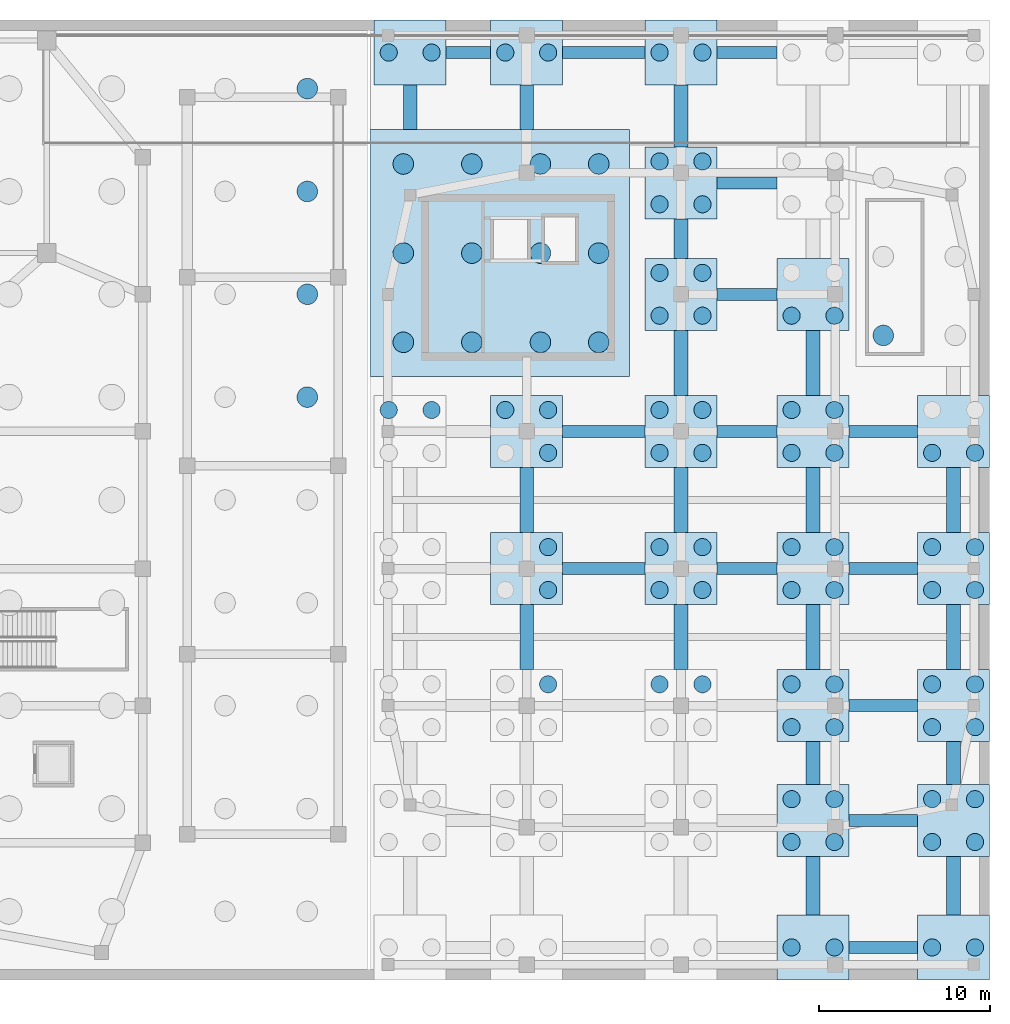
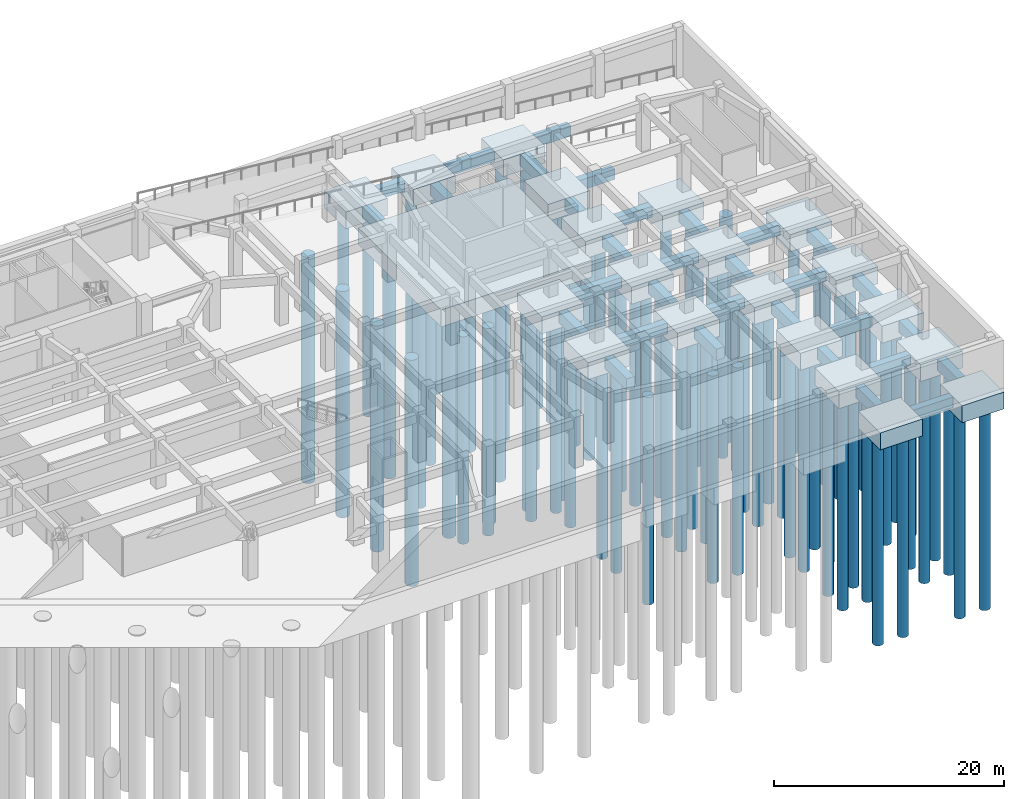
# One storey, part 2 of 18: 85 piles, 53 footings.
"""IFC4 building model written with IfcOpenShell, lengths in metres."""

from ifc_helpers import new_model, si_unit, direction, frame, origin, origin_2d, place, context, subcontext, project, spatial, polyline, rectangle, circle, outline, extrude, material, layer, layer_set, material_profile, profile_set, type_object, element, save


model = new_model("IFC4")

# Units and contexts
model_context = context("Model", 3, precision=1e-05, world=origin(), true_north=direction((0.0, 1.0)))
body_context = subcontext(model_context, "Body", "Model", "MODEL_VIEW")
ifc_project = project(units=[si_unit("LENGTHUNIT", "METRE"), si_unit("AREAUNIT", "SQUARE_METRE"), si_unit("VOLUMEUNIT", "CUBIC_METRE"), si_unit("PLANEANGLEUNIT", "RADIAN"), si_unit("MASSUNIT", "GRAM", prefix="KILO")], contexts=[model_context])

# Site, building, storey
site_placement = place(None, origin())
site = spatial("IfcSite", under=ifc_project, at=site_placement, CompositionType="ELEMENT")
building_placement = place(site_placement, origin())
building = spatial("IfcBuilding", under=site, at=building_placement, Name="Saevonmaru Cultural Tower", CompositionType="ELEMENT")
storey_placement = place(building_placement, frame((0.0, 0.0, -10.800048828125)))
storey = spatial("IfcBuildingStorey", under=building, at=storey_placement, Name="B2", CompositionType="ELEMENT", Elevation=-10.800048828125)

# Footings
ifc_material_1 = material(Name="Concrete C50/60", Category="concrete")
footing_type_1 = type_object("IfcFootingType", Name="FT-GB-800x1200", PredefinedType="STRIP_FOOTING", material=ifc_material_1)
footing_1_placement = place(storey_placement, frame((0.0, 0.0, -1.64990234375)))
element("IfcFooting", 1, at=footing_1_placement, inside=storey, type_object=footing_type_1, Name="Ground beam GB-05 Grid 9/G-H", PredefinedType="STRIP_FOOTING", context=body_context, shape_type="SweptSolid", body=[
    extrude(outline(polyline([(74.0, 49.60009765625), (74.800048828125, 49.60009765625), (74.800048828125, 52.199951171875), (74.0, 52.199951171875), (74.0, 49.60009765625)])), origin(), (0.0, 0.0, 1.0), 1.199951171875),
])
footing_2_placement = place(storey_placement, frame((0.0, 0.0, -1.64990234375)))
element("IfcFooting", 2, at=footing_2_placement, inside=storey, type_object=footing_type_1, Name="Ground beam GB-08 Grid 10/C-D", PredefinedType="STRIP_FOOTING", context=body_context, shape_type="SweptSolid", body=[
    extrude(outline(polyline([(80.800048828125, 18.10009765625), (81.60009765625, 18.10009765625), (81.60009765625, 21.89990234375), (80.800048828125, 21.89990234375), (80.800048828125, 18.10009765625)])), origin(), (0.0, 0.0, 1.0), 1.199951171875),
])
footing_3_placement = place(storey_placement, frame((0.0, 0.0, -1.64990234375)))
element("IfcFooting", 3, at=footing_3_placement, inside=storey, type_object=footing_type_1, Name="Ground beam GB-09 Grid 10/D-E", PredefinedType="STRIP_FOOTING", context=body_context, shape_type="SweptSolid", body=[
    extrude(outline(polyline([(80.800048828125, 26.10009765625), (81.60009765625, 26.10009765625), (81.60009765625, 29.89990234375), (80.800048828125, 29.89990234375), (80.800048828125, 26.10009765625)])), origin(), (0.0, 0.0, 1.0), 1.199951171875),
])
footing_4_placement = place(storey_placement, frame((0.0, 0.0, -1.64990234375)))
element("IfcFooting", 4, at=footing_4_placement, inside=storey, type_object=footing_type_1, Name="Ground beam GB-10 Grid 10/G-H", PredefinedType="STRIP_FOOTING", context=body_context, shape_type="SweptSolid", body=[
    extrude(outline(polyline([(80.800048828125, 49.60009765625), (81.60009765625, 49.60009765625), (81.60009765625, 52.199951171875), (80.800048828125, 52.199951171875), (80.800048828125, 49.60009765625)])), origin(), (0.0, 0.0, 1.0), 1.199951171875),
])
footing_5_placement = place(storey_placement, frame((0.0, 0.0, -1.64990234375)))
element("IfcFooting", 5, at=footing_5_placement, inside=storey, type_object=footing_type_1, Name="Ground beam GB-13 Grid 11/C-D", PredefinedType="STRIP_FOOTING", context=body_context, shape_type="SweptSolid", body=[
    extrude(outline(polyline([(89.800048828125, 18.10009765625), (90.60009765625, 18.10009765625), (90.60009765625, 21.89990234375), (89.800048828125, 21.89990234375), (89.800048828125, 18.10009765625)])), origin(), (0.0, 0.0, 1.0), 1.199951171875),
])
footing_6_placement = place(storey_placement, frame((0.0, 0.0, -1.64990234375)))
element("IfcFooting", 6, at=footing_6_placement, inside=storey, type_object=footing_type_1, Name="Ground beam GB-14 Grid 11/D-E", PredefinedType="STRIP_FOOTING", context=body_context, shape_type="SweptSolid", body=[
    extrude(outline(polyline([(89.800048828125, 26.10009765625), (90.60009765625, 26.10009765625), (90.60009765625, 29.89990234375), (89.800048828125, 29.89990234375), (89.800048828125, 26.10009765625)])), origin(), (0.0, 0.0, 1.0), 1.199951171875),
])
footing_7_placement = place(storey_placement, frame((0.0, 0.0, -1.64990234375)))
element("IfcFooting", 7, at=footing_7_placement, inside=storey, type_object=footing_type_1, Name="Ground beam GB-15 Grid 11/E-F", PredefinedType="STRIP_FOOTING", context=body_context, shape_type="SweptSolid", body=[
    extrude(outline(polyline([(89.800048828125, 34.10009765625), (90.60009765625, 34.10009765625), (90.60009765625, 37.89990234375), (89.800048828125, 37.89990234375), (89.800048828125, 34.10009765625)])), origin(), (0.0, 0.0, 1.0), 1.199951171875),
])
footing_8_placement = place(storey_placement, frame((0.0, 0.0, -1.64990234375)))
element("IfcFooting", 8, at=footing_8_placement, inside=storey, type_object=footing_type_1, Name="Ground beam GB-16 Grid 11/F-G", PredefinedType="STRIP_FOOTING", context=body_context, shape_type="SweptSolid", body=[
    extrude(outline(polyline([(89.800048828125, 42.10009765625), (90.60009765625, 42.10009765625), (90.60009765625, 44.39990234375), (89.800048828125, 44.39990234375), (89.800048828125, 42.10009765625)])), origin(), (0.0, 0.0, 1.0), 1.199951171875),
])
footing_9_placement = place(storey_placement, frame((0.0, 0.0, -1.64990234375)))
element("IfcFooting", 9, at=footing_9_placement, inside=storey, type_object=footing_type_1, Name="Ground beam GB-17 Grid 11/G-H", PredefinedType="STRIP_FOOTING", context=body_context, shape_type="SweptSolid", body=[
    extrude(outline(polyline([(89.800048828125, 48.60009765625), (90.60009765625, 48.60009765625), (90.60009765625, 52.199951171875), (89.800048828125, 52.199951171875), (89.800048828125, 48.60009765625)])), origin(), (0.0, 0.0, 1.0), 1.199951171875),
])
footing_10_placement = place(storey_placement, frame((0.0, 0.0, -1.64990234375)))
element("IfcFooting", 10, at=footing_10_placement, inside=storey, type_object=footing_type_1, Name="Ground beam GB-18 Grid 12/A-B", PredefinedType="STRIP_FOOTING", context=body_context, shape_type="SweptSolid", body=[
    extrude(outline(polyline([(97.5, 3.800048828125), (98.300048828125, 3.800048828125), (98.300048828125, 7.199951171875), (97.5, 7.199951171875), (97.5, 3.800048828125)])), origin(), (0.0, 0.0, 1.0), 1.199951171875),
])
footing_11_placement = place(storey_placement, frame((0.0, 0.0, -1.64990234375)))
element("IfcFooting", 11, at=footing_11_placement, inside=storey, type_object=footing_type_1, Name="Ground beam GB-19 Grid 12/B-C", PredefinedType="STRIP_FOOTING", context=body_context, shape_type="SweptSolid", body=[
    extrude(outline(polyline([(97.5, 11.39990234375), (98.300048828125, 11.39990234375), (98.300048828125, 13.89990234375), (97.5, 13.89990234375), (97.5, 11.39990234375)])), origin(), (0.0, 0.0, 1.0), 1.199951171875),
])
footing_12_placement = place(storey_placement, frame((0.0, 0.0, -1.64990234375)))
element("IfcFooting", 12, at=footing_12_placement, inside=storey, type_object=footing_type_1, Name="Ground beam GB-20 Grid 12/C-D", PredefinedType="STRIP_FOOTING", context=body_context, shape_type="SweptSolid", body=[
    extrude(outline(polyline([(97.5, 18.10009765625), (98.300048828125, 18.10009765625), (98.300048828125, 21.89990234375), (97.5, 21.89990234375), (97.5, 18.10009765625)])), origin(), (0.0, 0.0, 1.0), 1.199951171875),
])
footing_13_placement = place(storey_placement, frame((0.0, 0.0, -1.64990234375)))
element("IfcFooting", 13, at=footing_13_placement, inside=storey, type_object=footing_type_1, Name="Ground beam GB-21 Grid 12/D-E", PredefinedType="STRIP_FOOTING", context=body_context, shape_type="SweptSolid", body=[
    extrude(outline(polyline([(97.5, 26.10009765625), (98.300048828125, 26.10009765625), (98.300048828125, 29.89990234375), (97.5, 29.89990234375), (97.5, 26.10009765625)])), origin(), (0.0, 0.0, 1.0), 1.199951171875),
])
footing_14_placement = place(storey_placement, frame((0.0, 0.0, -1.64990234375)))
element("IfcFooting", 14, at=footing_14_placement, inside=storey, type_object=footing_type_1, Name="Ground beam GB-22 Grid 12/E-F", PredefinedType="STRIP_FOOTING", context=body_context, shape_type="SweptSolid", body=[
    extrude(outline(polyline([(97.5, 34.10009765625), (98.300048828125, 34.10009765625), (98.300048828125, 37.89990234375), (97.5, 37.89990234375), (97.5, 34.10009765625)])), origin(), (0.0, 0.0, 1.0), 1.199951171875),
])
footing_15_placement = place(storey_placement, frame((0.0, 0.0, -1.64990234375)))
element("IfcFooting", 15, at=footing_15_placement, inside=storey, type_object=footing_type_1, Name="Ground beam GB-25 Grid 13/A-B", PredefinedType="STRIP_FOOTING", context=body_context, shape_type="SweptSolid", body=[
    extrude(outline(polyline([(105.699951171875, 3.800048828125), (106.5, 3.800048828125), (106.5, 7.199951171875), (105.699951171875, 7.199951171875), (105.699951171875, 3.800048828125)])), origin(), (0.0, 0.0, 1.0), 1.199951171875),
])
footing_16_placement = place(storey_placement, frame((0.0, 0.0, -1.64990234375)))
element("IfcFooting", 16, at=footing_16_placement, inside=storey, type_object=footing_type_1, Name="Ground beam GB-26 Grid 13/B-C", PredefinedType="STRIP_FOOTING", context=body_context, shape_type="SweptSolid", body=[
    extrude(outline(polyline([(105.699951171875, 11.39990234375), (106.5, 11.39990234375), (106.5, 13.89990234375), (105.699951171875, 13.89990234375), (105.699951171875, 11.39990234375)])), origin(), (0.0, 0.0, 1.0), 1.199951171875),
])
footing_17_placement = place(storey_placement, frame((0.0, 0.0, -1.64990234375)))
element("IfcFooting", 17, at=footing_17_placement, inside=storey, type_object=footing_type_1, Name="Ground beam GB-27 Grid 13/C-D", PredefinedType="STRIP_FOOTING", context=body_context, shape_type="SweptSolid", body=[
    extrude(outline(polyline([(105.699951171875, 18.10009765625), (106.5, 18.10009765625), (106.5, 21.89990234375), (105.699951171875, 21.89990234375), (105.699951171875, 18.10009765625)])), origin(), (0.0, 0.0, 1.0), 1.199951171875),
])
footing_18_placement = place(storey_placement, frame((0.0, 0.0, -1.64990234375)))
element("IfcFooting", 18, at=footing_18_placement, inside=storey, type_object=footing_type_1, Name="Ground beam GB-28 Grid 13/D-E", PredefinedType="STRIP_FOOTING", context=body_context, shape_type="SweptSolid", body=[
    extrude(outline(polyline([(105.699951171875, 26.10009765625), (106.5, 26.10009765625), (106.5, 29.89990234375), (105.699951171875, 29.89990234375), (105.699951171875, 26.10009765625)])), origin(), (0.0, 0.0, 1.0), 1.199951171875),
])
ifc_layer_1 = layer(ifc_material_1, 1.800048828125, Name="Concrete C50/60")
ifc_layer_set_1 = layer_set([ifc_layer_1], Name="Concrete C50/60")
footing_type_2 = type_object("IfcFootingType", Name="FT-LCAP-4200", PredefinedType="PILE_CAP", material=ifc_layer_set_1)
for number, where, z_axis, x_axis, name in (
    (19, (81.199951171875, 24.0, -2.25), (0.0, 0.0, 1.0), (1.0, 0.0, 0.0), "Pile cap 10/D"),
    (20, (81.199951171875, 32.0, -2.25), (0.0, 0.0, 1.0), (1.0, 0.0, 0.0), "Pile cap 10/E"),
    (21, (90.199951171875, 24.0, -2.25), (0.0, 0.0, 1.0), (1.0, 0.0, 0.0), "Pile cap 11/D"),
    (22, (90.199951171875, 32.0, -2.25), (0.0, 0.0, 1.0), (1.0, 0.0, 0.0), "Pile cap 11/E"),
    (23, (90.199951171875, 40.0, -2.25), (0.0, 0.0, 1.0), (1.0, 0.0, 0.0), "Pile cap 11/F"),
    (24, (90.199951171875, 46.5, -2.25), (0.0, 0.0, 1.0), (1.0, 0.0, 0.0), "Pile cap 11/G"),
    (25, (97.89990234375, 9.300048828125, -2.25), (0.0, 0.0, 1.0), (1.0, 0.0, 0.0), "Pile cap 12/B"),
    (26, (97.89990234375, 16.0, -2.25), (0.0, 0.0, 1.0), (1.0, 0.0, 0.0), "Pile cap 12/C"),
    (27, (97.89990234375, 24.0, -2.25), (0.0, 0.0, 1.0), (1.0, 0.0, 0.0), "Pile cap 12/D"),
    (28, (97.89990234375, 32.0, -2.25), (0.0, 0.0, 1.0), (1.0, 0.0, 0.0), "Pile cap 12/E"),
    (29, (97.89990234375, 40.0, -2.25), (0.0, 0.0, 1.0), (1.0, 0.0, 0.0), "Pile cap 12/F"),
    (30, (106.10009765625, 9.300048828125, -2.25), (0.0, 0.0, 1.0), (1.0, 0.0, 0.0), "Pile cap 13/B"),
    (31, (106.10009765625, 16.0, -2.25), (0.0, 0.0, 1.0), (1.0, 0.0, 0.0), "Pile cap 13/C"),
    (32, (106.10009765625, 24.0, -2.25), (0.0, 0.0, 1.0), (1.0, 0.0, 0.0), "Pile cap 13/D"),
    (33, (106.10009765625, 32.0, -2.25), (0.0, 0.0, 1.0), (1.0, 0.0, 0.0), "Pile cap 13/E"),
):
    element("IfcFooting", number, at=place(storey_placement, frame(where, z_axis=z_axis, x_axis=x_axis)), inside=storey, type_object=footing_type_2, Name=name, PredefinedType="PILE_CAP", context=body_context, shape_type="SweptSolid", body=[
        extrude(rectangle(XDim=4.199951171875, YDim=4.199951171875, at=origin_2d()), origin(), (0.0, 0.0, 1.0), 1.800048828125),
    ])
ifc_layer_2 = layer(ifc_material_1, 1.800048828125, Name="Concrete C50/60")
ifc_layer_set_2 = layer_set([ifc_layer_2], Name="Concrete C50/60")
footing_type_3 = type_object("IfcFootingType", Name="FT-LCAP-CORE", PredefinedType="PILE_CAP", material=ifc_layer_set_2)
footing_19_placement = place(storey_placement, frame((0.0, 0.0, -2.25)))
element("IfcFooting", 34, at=footing_19_placement, inside=storey, type_object=footing_type_3, Name="Central Library Core Combined Pile Cap PC-C1", PredefinedType="PILE_CAP", context=body_context, shape_type="SweptSolid", body=[
    extrude(outline(polyline([(72.050048828125, 35.199951171875), (87.199951171875, 35.199951171875), (87.199951171875, 49.60009765625), (72.050048828125, 49.60009765625), (72.050048828125, 35.199951171875)])), origin(), (0.0, 0.0, 1.0), 1.800048828125),
])
ifc_layer_3 = layer(ifc_material_1, 1.800048828125, Name="Concrete C50/60")
ifc_layer_set_3 = layer_set([ifc_layer_3], Name="Concrete C50/60")
footing_type_4 = type_object("IfcFootingType", Name="FT-LCAP-EDGE", PredefinedType="PILE_CAP", material=ifc_layer_set_3)
for number, where, z_axis, x_axis, name in (
    (35, (74.39990234375, 54.10009765625, -2.25), (0.0, 0.0, 1.0), (1.0, 0.0, 0.0), "Pile cap 9/H"),
    (36, (81.199951171875, 54.10009765625, -2.25), (0.0, 0.0, 1.0), (1.0, 0.0, 0.0), "Pile cap 10/H"),
    (37, (90.199951171875, 54.10009765625, -2.25), (0.0, 0.0, 1.0), (1.0, 0.0, 0.0), "Pile cap 11/H"),
    (38, (97.89990234375, 1.89990234375, -2.25), (0.0, 0.0, 1.0), (1.0, 0.0, 0.0), "Pile cap 12/A"),
    (39, (106.10009765625, 1.89990234375, -2.25), (0.0, 0.0, 1.0), (1.0, 0.0, 0.0), "Pile cap 13/A"),
):
    element("IfcFooting", number, at=place(storey_placement, frame(where, z_axis=z_axis, x_axis=x_axis)), inside=storey, type_object=footing_type_4, Name=name, PredefinedType="PILE_CAP", context=body_context, shape_type="SweptSolid", body=[
        extrude(rectangle(XDim=4.199951171875, YDim=3.800048828125, at=origin_2d()), origin(), (0.0, 0.0, 1.0), 1.800048828125),
    ])
footing_type_5 = type_object("IfcFootingType", Name="FT-TB-700x1100", PredefinedType="FOOTING_BEAM", material=ifc_material_1)
footing_20_placement = place(storey_placement, frame((0.0, 0.0, -1.550048828125)))
element("IfcFooting", 40, at=footing_20_placement, inside=storey, type_object=footing_type_5, Name="Tie footing beam TB-04 Grid A/12-13", PredefinedType="FOOTING_BEAM", context=body_context, shape_type="SweptSolid", body=[
    extrude(outline(polyline([(100.0, 1.550048828125), (104.0, 1.550048828125), (104.0, 2.25), (100.0, 2.25), (100.0, 1.550048828125)])), origin(), (0.0, 0.0, 1.0), 1.10009765625),
])
footing_21_placement = place(storey_placement, frame((0.0, 0.0, -1.550048828125)))
element("IfcFooting", 41, at=footing_21_placement, inside=storey, type_object=footing_type_5, Name="Tie footing beam TB-08 Grid B/12-13", PredefinedType="FOOTING_BEAM", context=body_context, shape_type="SweptSolid", body=[
    extrude(outline(polyline([(100.0, 8.949951171875), (104.0, 8.949951171875), (104.0, 9.64990234375), (100.0, 9.64990234375), (100.0, 8.949951171875)])), origin(), (0.0, 0.0, 1.0), 1.10009765625),
])
footing_22_placement = place(storey_placement, frame((0.0, 0.0, -1.550048828125)))
element("IfcFooting", 42, at=footing_22_placement, inside=storey, type_object=footing_type_5, Name="Tie footing beam TB-12 Grid C/12-13", PredefinedType="FOOTING_BEAM", context=body_context, shape_type="SweptSolid", body=[
    extrude(outline(polyline([(100.0, 15.64990234375), (104.0, 15.64990234375), (104.0, 16.35009765625), (100.0, 16.35009765625), (100.0, 15.64990234375)])), origin(), (0.0, 0.0, 1.0), 1.10009765625),
])
footing_23_placement = place(storey_placement, frame((0.0, 0.0, -1.550048828125)))
element("IfcFooting", 43, at=footing_23_placement, inside=storey, type_object=footing_type_5, Name="Tie footing beam TB-14 Grid D/10-11", PredefinedType="FOOTING_BEAM", context=body_context, shape_type="SweptSolid", body=[
    extrude(outline(polyline([(83.300048828125, 23.64990234375), (88.10009765625, 23.64990234375), (88.10009765625, 24.35009765625), (83.300048828125, 24.35009765625), (83.300048828125, 23.64990234375)])), origin(), (0.0, 0.0, 1.0), 1.10009765625),
])
footing_24_placement = place(storey_placement, frame((0.0, 0.0, -1.550048828125)))
element("IfcFooting", 44, at=footing_24_placement, inside=storey, type_object=footing_type_5, Name="Tie footing beam TB-15 Grid D/11-12", PredefinedType="FOOTING_BEAM", context=body_context, shape_type="SweptSolid", body=[
    extrude(outline(polyline([(92.300048828125, 23.64990234375), (95.800048828125, 23.64990234375), (95.800048828125, 24.35009765625), (92.300048828125, 24.35009765625), (92.300048828125, 23.64990234375)])), origin(), (0.0, 0.0, 1.0), 1.10009765625),
])
footing_25_placement = place(storey_placement, frame((0.0, 0.0, -1.550048828125)))
element("IfcFooting", 45, at=footing_25_placement, inside=storey, type_object=footing_type_5, Name="Tie footing beam TB-16 Grid D/12-13", PredefinedType="FOOTING_BEAM", context=body_context, shape_type="SweptSolid", body=[
    extrude(outline(polyline([(100.0, 23.64990234375), (104.0, 23.64990234375), (104.0, 24.35009765625), (100.0, 24.35009765625), (100.0, 23.64990234375)])), origin(), (0.0, 0.0, 1.0), 1.10009765625),
])
footing_26_placement = place(storey_placement, frame((0.0, 0.0, -1.550048828125)))
element("IfcFooting", 46, at=footing_26_placement, inside=storey, type_object=footing_type_5, Name="Tie footing beam TB-18 Grid E/10-11", PredefinedType="FOOTING_BEAM", context=body_context, shape_type="SweptSolid", body=[
    extrude(outline(polyline([(83.300048828125, 31.64990234375), (88.10009765625, 31.64990234375), (88.10009765625, 32.35009765625), (83.300048828125, 32.35009765625), (83.300048828125, 31.64990234375)])), origin(), (0.0, 0.0, 1.0), 1.10009765625),
])
footing_27_placement = place(storey_placement, frame((0.0, 0.0, -1.550048828125)))
element("IfcFooting", 47, at=footing_27_placement, inside=storey, type_object=footing_type_5, Name="Tie footing beam TB-19 Grid E/11-12", PredefinedType="FOOTING_BEAM", context=body_context, shape_type="SweptSolid", body=[
    extrude(outline(polyline([(92.300048828125, 31.64990234375), (95.800048828125, 31.64990234375), (95.800048828125, 32.35009765625), (92.300048828125, 32.35009765625), (92.300048828125, 31.64990234375)])), origin(), (0.0, 0.0, 1.0), 1.10009765625),
])
footing_28_placement = place(storey_placement, frame((0.0, 0.0, -1.550048828125)))
element("IfcFooting", 48, at=footing_28_placement, inside=storey, type_object=footing_type_5, Name="Tie footing beam TB-20 Grid E/12-13", PredefinedType="FOOTING_BEAM", context=body_context, shape_type="SweptSolid", body=[
    extrude(outline(polyline([(100.0, 31.64990234375), (104.0, 31.64990234375), (104.0, 32.35009765625), (100.0, 32.35009765625), (100.0, 31.64990234375)])), origin(), (0.0, 0.0, 1.0), 1.10009765625),
])
footing_29_placement = place(storey_placement, frame((0.0, 0.0, -1.550048828125)))
element("IfcFooting", 49, at=footing_29_placement, inside=storey, type_object=footing_type_5, Name="Tie footing beam TB-21 Grid F/11-12", PredefinedType="FOOTING_BEAM", context=body_context, shape_type="SweptSolid", body=[
    extrude(outline(polyline([(92.300048828125, 39.64990234375), (95.800048828125, 39.64990234375), (95.800048828125, 40.35009765625), (92.300048828125, 40.35009765625), (92.300048828125, 39.64990234375)])), origin(), (0.0, 0.0, 1.0), 1.10009765625),
])
footing_30_placement = place(storey_placement, frame((0.0, 0.0, -1.550048828125)))
element("IfcFooting", 50, at=footing_30_placement, inside=storey, type_object=footing_type_5, Name="Tie footing beam TB-22 Grid G/11-12", PredefinedType="FOOTING_BEAM", context=body_context, shape_type="SweptSolid", body=[
    extrude(outline(polyline([(92.300048828125, 46.14990234375), (95.800048828125, 46.14990234375), (95.800048828125, 46.85009765625), (92.300048828125, 46.85009765625), (92.300048828125, 46.14990234375)])), origin(), (0.0, 0.0, 1.0), 1.10009765625),
])
footing_31_placement = place(storey_placement, frame((0.0, 0.0, -1.550048828125)))
element("IfcFooting", 51, at=footing_31_placement, inside=storey, type_object=footing_type_5, Name="Tie footing beam TB-23 Grid H/9-10", PredefinedType="FOOTING_BEAM", context=body_context, shape_type="SweptSolid", body=[
    extrude(outline(polyline([(76.5, 53.75), (79.10009765625, 53.75), (79.10009765625, 54.449951171875), (76.5, 54.449951171875), (76.5, 53.75)])), origin(), (0.0, 0.0, 1.0), 1.10009765625),
])
footing_32_placement = place(storey_placement, frame((0.0, 0.0, -1.550048828125)))
element("IfcFooting", 52, at=footing_32_placement, inside=storey, type_object=footing_type_5, Name="Tie footing beam TB-24 Grid H/10-11", PredefinedType="FOOTING_BEAM", context=body_context, shape_type="SweptSolid", body=[
    extrude(outline(polyline([(83.300048828125, 53.75), (88.10009765625, 53.75), (88.10009765625, 54.449951171875), (83.300048828125, 54.449951171875), (83.300048828125, 53.75)])), origin(), (0.0, 0.0, 1.0), 1.10009765625),
])
footing_33_placement = place(storey_placement, frame((0.0, 0.0, -1.550048828125)))
element("IfcFooting", 53, at=footing_33_placement, inside=storey, type_object=footing_type_5, Name="Tie footing beam TB-25 Grid H/11-12", PredefinedType="FOOTING_BEAM", context=body_context, shape_type="SweptSolid", body=[
    extrude(outline(polyline([(92.300048828125, 53.75), (95.800048828125, 53.75), (95.800048828125, 54.449951171875), (92.300048828125, 54.449951171875), (92.300048828125, 53.75)])), origin(), (0.0, 0.0, 1.0), 1.10009765625),
])

# Piles
ifc_material_2 = material(Name="Concrete C40/50", Category="concrete")
ifc_material_profile_1 = material_profile(ifc_material_2, circle(Radius=0.5, at=origin_2d()), Name="PILE-D1000")
ifc_profile_set_1 = profile_set([ifc_material_profile_1], Name="Concrete C40/50")
pile_type_1 = type_object("IfcPileType", Name="PL-BORED-1000", PredefinedType="BORED", material=ifc_profile_set_1)
for number, where, z_axis, x_axis, name in (
    (54, (73.14990234375, 33.25, -2.14990234375), (0.0, 0.0, -1.0), (1.0, 0.0, 0.0), "Library bored pile BP3-017"),
    (55, (75.64990234375, 33.25, -2.14990234375), (0.0, 0.0, -1.0), (1.0, 0.0, 0.0), "Library bored pile BP3-018"),
    (56, (73.14990234375, 54.10009765625, -2.14990234375), (0.0, 0.0, -1.0), (1.0, 0.0, 0.0), "Library bored pile BP3-019"),
    (57, (75.64990234375, 54.10009765625, -2.14990234375), (0.0, 0.0, -1.0), (1.0, 0.0, 0.0), "Library bored pile BP3-020"),
    (58, (82.449951171875, 17.25, -2.14990234375), (0.0, 0.0, -1.0), (1.0, 0.0, 0.0), "Library bored pile BP3-030"),
    (59, (82.449951171875, 22.75, -2.14990234375), (0.0, 0.0, -1.0), (1.0, 0.0, 0.0), "Library bored pile BP3-032"),
    (60, (82.449951171875, 25.25, -2.14990234375), (0.0, 0.0, -1.0), (1.0, 0.0, 0.0), "Library bored pile BP3-034"),
    (61, (82.449951171875, 30.75, -2.14990234375), (0.0, 0.0, -1.0), (1.0, 0.0, 0.0), "Library bored pile BP3-036"),
    (62, (79.949951171875, 33.25, -2.14990234375), (0.0, 0.0, -1.0), (1.0, 0.0, 0.0), "Library bored pile BP3-037"),
    (63, (82.449951171875, 33.25, -2.14990234375), (0.0, 0.0, -1.0), (1.0, 0.0, 0.0), "Library bored pile BP3-038"),
    (64, (79.949951171875, 54.10009765625, -2.14990234375), (0.0, 0.0, -1.0), (1.0, 0.0, 0.0), "Library bored pile BP3-039"),
    (65, (82.449951171875, 54.10009765625, -2.14990234375), (0.0, 0.0, -1.0), (1.0, 0.0, 0.0), "Library bored pile BP3-040"),
    (66, (88.949951171875, 17.25, -2.14990234375), (0.0, 0.0, -1.0), (1.0, 0.0, 0.0), "Library bored pile BP3-049"),
    (67, (91.449951171875, 17.25, -2.14990234375), (0.0, 0.0, -1.0), (1.0, 0.0, 0.0), "Library bored pile BP3-050"),
    (68, (88.949951171875, 22.75, -2.14990234375), (0.0, 0.0, -1.0), (1.0, 0.0, 0.0), "Library bored pile BP3-051"),
    (69, (91.449951171875, 22.75, -2.14990234375), (0.0, 0.0, -1.0), (1.0, 0.0, 0.0), "Library bored pile BP3-052"),
    (70, (88.949951171875, 25.25, -2.14990234375), (0.0, 0.0, -1.0), (1.0, 0.0, 0.0), "Library bored pile BP3-053"),
    (71, (91.449951171875, 25.25, -2.14990234375), (0.0, 0.0, -1.0), (1.0, 0.0, 0.0), "Library bored pile BP3-054"),
    (72, (88.949951171875, 30.75, -2.14990234375), (0.0, 0.0, -1.0), (1.0, 0.0, 0.0), "Library bored pile BP3-055"),
    (73, (91.449951171875, 30.75, -2.14990234375), (0.0, 0.0, -1.0), (1.0, 0.0, 0.0), "Library bored pile BP3-056"),
    (74, (88.949951171875, 33.25, -2.14990234375), (0.0, 0.0, -1.0), (1.0, 0.0, 0.0), "Library bored pile BP3-057"),
    (75, (91.449951171875, 33.25, -2.14990234375), (0.0, 0.0, -1.0), (1.0, 0.0, 0.0), "Library bored pile BP3-058"),
    (76, (88.949951171875, 38.75, -2.14990234375), (0.0, 0.0, -1.0), (1.0, 0.0, 0.0), "Library bored pile BP3-059"),
    (77, (91.449951171875, 38.75, -2.14990234375), (0.0, 0.0, -1.0), (1.0, 0.0, 0.0), "Library bored pile BP3-060"),
    (78, (88.949951171875, 41.25, -2.14990234375), (0.0, 0.0, -1.0), (1.0, 0.0, 0.0), "Library bored pile BP3-061"),
    (79, (91.449951171875, 41.25, -2.14990234375), (0.0, 0.0, -1.0), (1.0, 0.0, 0.0), "Library bored pile BP3-062"),
    (80, (88.949951171875, 45.25, -2.14990234375), (0.0, 0.0, -1.0), (1.0, 0.0, 0.0), "Library bored pile BP3-063"),
    (81, (91.449951171875, 45.25, -2.14990234375), (0.0, 0.0, -1.0), (1.0, 0.0, 0.0), "Library bored pile BP3-064"),
    (82, (88.949951171875, 47.75, -2.14990234375), (0.0, 0.0, -1.0), (1.0, 0.0, 0.0), "Library bored pile BP3-065"),
    (83, (91.449951171875, 47.75, -2.14990234375), (0.0, 0.0, -1.0), (1.0, 0.0, 0.0), "Library bored pile BP3-066"),
    (84, (88.949951171875, 54.10009765625, -2.14990234375), (0.0, 0.0, -1.0), (1.0, 0.0, 0.0), "Library bored pile BP3-067"),
    (85, (91.449951171875, 54.10009765625, -2.14990234375), (0.0, 0.0, -1.0), (1.0, 0.0, 0.0), "Library bored pile BP3-068"),
    (86, (96.64990234375, 1.89990234375, -2.14990234375), (0.0, 0.0, -1.0), (1.0, 0.0, 0.0), "Library bored pile BP3-069"),
    (87, (99.14990234375, 1.89990234375, -2.14990234375), (0.0, 0.0, -1.0), (1.0, 0.0, 0.0), "Library bored pile BP3-070"),
    (88, (96.64990234375, 8.050048828125, -2.14990234375), (0.0, 0.0, -1.0), (1.0, 0.0, 0.0), "Library bored pile BP3-071"),
    (89, (99.14990234375, 8.050048828125, -2.14990234375), (0.0, 0.0, -1.0), (1.0, 0.0, 0.0), "Library bored pile BP3-072"),
    (90, (96.64990234375, 10.550048828125, -2.14990234375), (0.0, 0.0, -1.0), (1.0, 0.0, 0.0), "Library bored pile BP3-073"),
    (91, (99.14990234375, 10.550048828125, -2.14990234375), (0.0, 0.0, -1.0), (1.0, 0.0, 0.0), "Library bored pile BP3-074"),
    (92, (96.64990234375, 14.75, -2.14990234375), (0.0, 0.0, -1.0), (1.0, 0.0, 0.0), "Library bored pile BP3-075"),
    (93, (99.14990234375, 14.75, -2.14990234375), (0.0, 0.0, -1.0), (1.0, 0.0, 0.0), "Library bored pile BP3-076"),
    (94, (96.64990234375, 17.25, -2.14990234375), (0.0, 0.0, -1.0), (1.0, 0.0, 0.0), "Library bored pile BP3-077"),
    (95, (99.14990234375, 17.25, -2.14990234375), (0.0, 0.0, -1.0), (1.0, 0.0, 0.0), "Library bored pile BP3-078"),
    (96, (96.64990234375, 22.75, -2.14990234375), (0.0, 0.0, -1.0), (1.0, 0.0, 0.0), "Library bored pile BP3-079"),
    (97, (99.14990234375, 22.75, -2.14990234375), (0.0, 0.0, -1.0), (1.0, 0.0, 0.0), "Library bored pile BP3-080"),
    (98, (96.64990234375, 25.25, -2.14990234375), (0.0, 0.0, -1.0), (1.0, 0.0, 0.0), "Library bored pile BP3-081"),
    (99, (99.14990234375, 25.25, -2.14990234375), (0.0, 0.0, -1.0), (1.0, 0.0, 0.0), "Library bored pile BP3-082"),
    (100, (96.64990234375, 30.75, -2.14990234375), (0.0, 0.0, -1.0), (1.0, 0.0, 0.0), "Library bored pile BP3-083"),
    (101, (99.14990234375, 30.75, -2.14990234375), (0.0, 0.0, -1.0), (1.0, 0.0, 0.0), "Library bored pile BP3-084"),
    (102, (96.64990234375, 33.25, -2.14990234375), (0.0, 0.0, -1.0), (1.0, 0.0, 0.0), "Library bored pile BP3-085"),
    (103, (99.14990234375, 33.25, -2.14990234375), (0.0, 0.0, -1.0), (1.0, 0.0, 0.0), "Library bored pile BP3-086"),
    (104, (96.64990234375, 38.75, -2.14990234375), (0.0, 0.0, -1.0), (1.0, 0.0, 0.0), "Library bored pile BP3-087"),
    (105, (99.14990234375, 38.75, -2.14990234375), (0.0, 0.0, -1.0), (1.0, 0.0, 0.0), "Library bored pile BP3-088"),
    (106, (104.85009765625, 1.89990234375, -2.14990234375), (0.0, 0.0, -1.0), (1.0, 0.0, 0.0), "Library bored pile BP3-097"),
    (107, (107.35009765625, 1.89990234375, -2.14990234375), (0.0, 0.0, -1.0), (1.0, 0.0, 0.0), "Library bored pile BP3-098"),
    (108, (104.85009765625, 8.050048828125, -2.14990234375), (0.0, 0.0, -1.0), (1.0, 0.0, 0.0), "Library bored pile BP3-099"),
    (109, (107.35009765625, 8.050048828125, -2.14990234375), (0.0, 0.0, -1.0), (1.0, 0.0, 0.0), "Library bored pile BP3-100"),
    (110, (104.85009765625, 10.550048828125, -2.14990234375), (0.0, 0.0, -1.0), (1.0, 0.0, 0.0), "Library bored pile BP3-101"),
    (111, (107.35009765625, 10.550048828125, -2.14990234375), (0.0, 0.0, -1.0), (1.0, 0.0, 0.0), "Library bored pile BP3-102"),
    (112, (104.85009765625, 14.75, -2.14990234375), (0.0, 0.0, -1.0), (1.0, 0.0, 0.0), "Library bored pile BP3-103"),
    (113, (107.35009765625, 14.75, -2.14990234375), (0.0, 0.0, -1.0), (1.0, 0.0, 0.0), "Library bored pile BP3-104"),
    (114, (104.85009765625, 17.25, -2.14990234375), (0.0, 0.0, -1.0), (1.0, 0.0, 0.0), "Library bored pile BP3-105"),
    (115, (107.35009765625, 17.25, -2.14990234375), (0.0, 0.0, -1.0), (1.0, 0.0, 0.0), "Library bored pile BP3-106"),
    (116, (104.85009765625, 22.75, -2.14990234375), (0.0, 0.0, -1.0), (1.0, 0.0, 0.0), "Library bored pile BP3-107"),
    (117, (107.35009765625, 22.75, -2.14990234375), (0.0, 0.0, -1.0), (1.0, 0.0, 0.0), "Library bored pile BP3-108"),
    (118, (104.85009765625, 25.25, -2.14990234375), (0.0, 0.0, -1.0), (1.0, 0.0, 0.0), "Library bored pile BP3-109"),
    (119, (107.35009765625, 25.25, -2.14990234375), (0.0, 0.0, -1.0), (1.0, 0.0, 0.0), "Library bored pile BP3-110"),
    (120, (104.85009765625, 30.75, -2.14990234375), (0.0, 0.0, -1.0), (1.0, 0.0, 0.0), "Library bored pile BP3-111"),
    (121, (107.35009765625, 30.75, -2.14990234375), (0.0, 0.0, -1.0), (1.0, 0.0, 0.0), "Library bored pile BP3-112"),
):
    element("IfcPile", number, at=place(storey_placement, frame(where, z_axis=z_axis, x_axis=x_axis)), inside=storey, type_object=pile_type_1, Name=name, PredefinedType="BORED", context=body_context, shape_type="SweptSolid", body=[
        extrude(circle(Radius=0.5, at=origin_2d()), origin(), (0.0, 0.0, 1.0), 22.0),
    ])
ifc_material_profile_2 = material_profile(ifc_material_1, circle(Radius=0.60009765625, at=origin_2d()), Name="PILE-D1200")
ifc_profile_set_2 = profile_set([ifc_material_profile_2], Name="Concrete C50/60")
pile_type_2 = type_object("IfcPileType", Name="PL-BORED-1200", PredefinedType="BORED", material=ifc_profile_set_2)
for number, where, z_axis, x_axis, name in (
    (122, (68.39990234375, 34.0, -3.349853515625), (0.0, 0.0, -1.0), (1.0, 0.0, 0.0), "Station concourse bored pile BP2-015"),
    (123, (68.39990234375, 40.0, -3.349853515625), (0.0, 0.0, -1.0), (1.0, 0.0, 0.0), "Station concourse bored pile BP2-016"),
    (124, (68.39990234375, 46.0, -3.349853515625), (0.0, 0.0, -1.0), (1.0, 0.0, 0.0), "Station concourse bored pile BP2-017"),
    (125, (68.39990234375, 52.0, -3.349853515625), (0.0, 0.0, -1.0), (1.0, 0.0, 0.0), "Station concourse bored pile BP2-018"),
    (126, (74.0, 37.199951171875, -2.14990234375), (0.0, 0.0, -1.0), (1.0, 0.0, 0.0), "Library core bored pile BP2-L01"),
    (127, (74.0, 42.39990234375, -2.14990234375), (0.0, 0.0, -1.0), (1.0, 0.0, 0.0), "Library core bored pile BP2-L02"),
    (128, (74.0, 47.60009765625, -2.14990234375), (0.0, 0.0, -1.0), (1.0, 0.0, 0.0), "Library core bored pile BP2-L03"),
    (129, (78.0, 37.199951171875, -2.14990234375), (0.0, 0.0, -1.0), (1.0, 0.0, 0.0), "Library core bored pile BP2-L04"),
    (130, (78.0, 42.39990234375, -2.14990234375), (0.0, 0.0, -1.0), (1.0, 0.0, 0.0), "Library core bored pile BP2-L05"),
    (131, (78.0, 47.60009765625, -2.14990234375), (0.0, 0.0, -1.0), (1.0, 0.0, 0.0), "Library core bored pile BP2-L06"),
    (132, (82.0, 37.199951171875, -2.14990234375), (0.0, 0.0, -1.0), (1.0, 0.0, 0.0), "Library core bored pile BP2-L07"),
    (133, (82.0, 42.39990234375, -2.14990234375), (0.0, 0.0, -1.0), (1.0, 0.0, 0.0), "Library core bored pile BP2-L08"),
    (134, (82.0, 47.60009765625, -2.14990234375), (0.0, 0.0, -1.0), (1.0, 0.0, 0.0), "Library core bored pile BP2-L09"),
    (135, (85.39990234375, 37.199951171875, -2.14990234375), (0.0, 0.0, -1.0), (1.0, 0.0, 0.0), "Library core bored pile BP2-L10"),
    (136, (85.39990234375, 42.39990234375, -2.14990234375), (0.0, 0.0, -1.0), (1.0, 0.0, 0.0), "Library core bored pile BP2-L11"),
    (137, (85.39990234375, 47.60009765625, -2.14990234375), (0.0, 0.0, -1.0), (1.0, 0.0, 0.0), "Library core bored pile BP2-L12"),
    (138, (102.0, 37.60009765625, -2.14990234375), (0.0, 0.0, -1.0), (1.0, 0.0, 0.0), "Library east stair bored pile BP2-L13"),
):
    element("IfcPile", number, at=place(storey_placement, frame(where, z_axis=z_axis, x_axis=x_axis)), inside=storey, type_object=pile_type_2, Name=name, PredefinedType="BORED", context=body_context, shape_type="SweptSolid", body=[
        extrude(circle(Radius=0.60009765625, at=origin_2d()), origin(), (0.0, 0.0, 1.0), 24.0),
    ])

save(model, "model.ifc")
